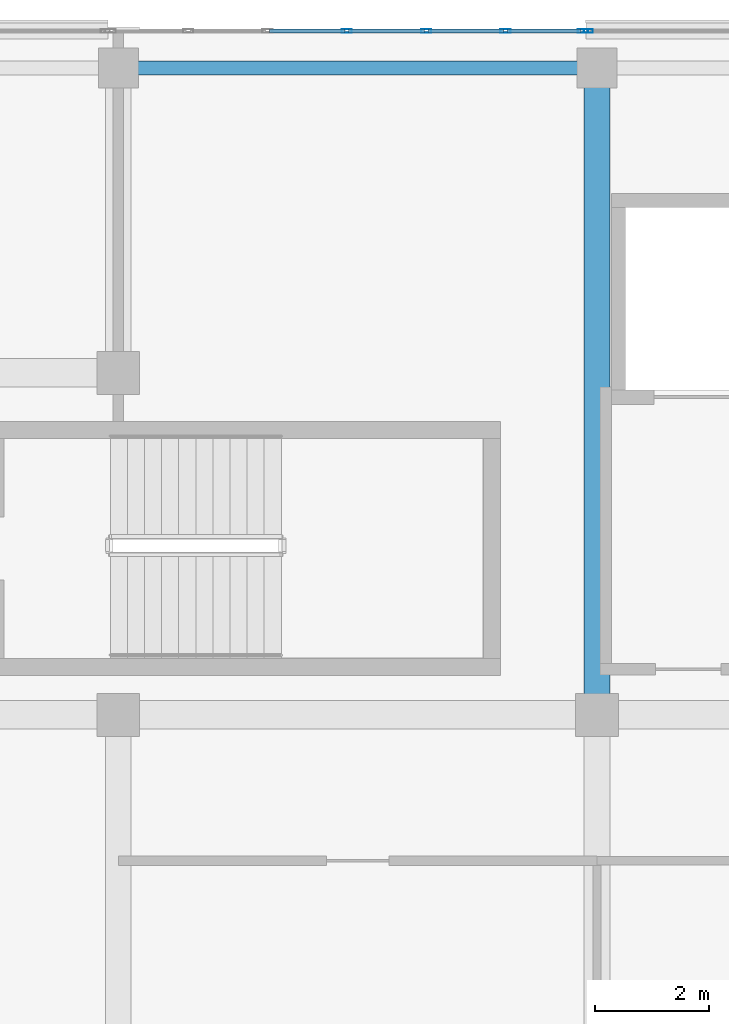
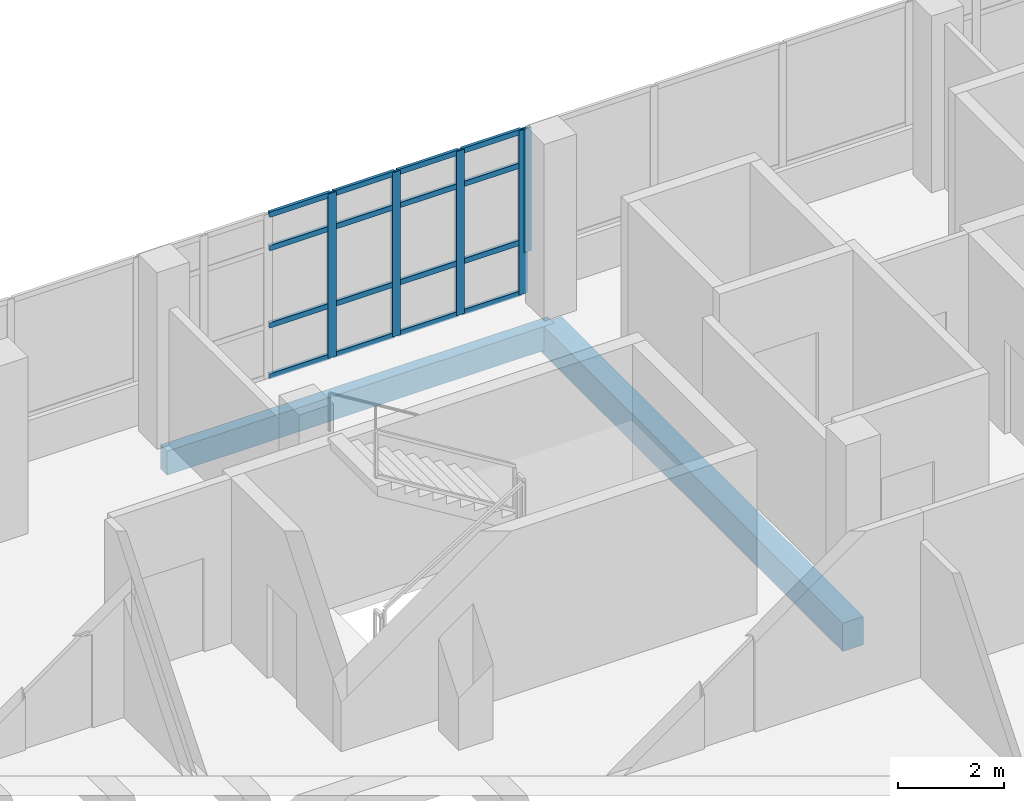
# One storey, part 47 of 101: 21 members, 2 beams, 2 elements without a shape of their own.
"""IFC4 building model written with IfcOpenShell, lengths in metres."""

from ifc_helpers import new_model, si_unit, direction, frame, origin, origin_2d, place, context, subcontext, project, spatial, rectangle, hollow_rectangle, extrude, material, material_profile, profile_set, type_object, element, aggregate, save


model = new_model("IFC4")

# Units and contexts
model_context = context("Model", 3, precision=1e-05, world=origin(), true_north=direction((0.0, 1.0)))
body_context = subcontext(model_context, "Body", "Model", "MODEL_VIEW")
ifc_project = project(units=[si_unit("LENGTHUNIT", "METRE"), si_unit("AREAUNIT", "SQUARE_METRE"), si_unit("VOLUMEUNIT", "CUBIC_METRE"), si_unit("PLANEANGLEUNIT", "RADIAN"), si_unit("MASSUNIT", "GRAM", prefix="KILO")], contexts=[model_context])

# Site, building, storey
site_placement = place(None, origin())
site = spatial("IfcSite", under=ifc_project, at=site_placement, CompositionType="ELEMENT")
building_placement = place(site_placement, origin())
building = spatial("IfcBuilding", under=site, at=building_placement, Name="Selatvlak General Hospital", CompositionType="ELEMENT")
storey_placement = place(building_placement, frame((0.0, 0.0, 19.199951171875)))
storey = spatial("IfcBuildingStorey", under=building, at=storey_placement, Name="L04", CompositionType="ELEMENT", Elevation=19.199951171875)

# Beams
ifc_material_1 = material(Name="Concrete C40/50", Category="concrete")
ifc_material_profile_1 = material_profile(ifc_material_1, rectangle(XDim=0.449951171875, YDim=0.64990234375, at=origin_2d()), Name="RC-BM 450x650")
ifc_profile_set_1 = profile_set([ifc_material_profile_1], Name="Concrete C40/50")
beam_type_1 = type_object("IfcBeamType", Name="BM-G04", PredefinedType="BEAM", material=ifc_profile_set_1)
beam_1_placement = place(storey_placement, frame((98.39990234375, 108.0, -0.6298828125), z_axis=(0.0, 1.0, 0.0), x_axis=(-1.0, 0.0, 0.0)))
element("IfcBeam", 1, at=beam_1_placement, inside=storey, type_object=beam_type_1, Name="Beam BMR-L04-1695", PredefinedType="BEAM", context=body_context, shape_type="SweptSolid", body=[
    extrude(rectangle(XDim=0.449951171875, YDim=0.64990234375, at=origin_2d()), origin(), (0.0, 0.0, 1.0), 11.35009765625),
])
ifc_material_profile_2 = material_profile(ifc_material_1, rectangle(XDim=0.25, YDim=0.550048828125, at=origin_2d()), Name="RC-SP 250x550")
ifc_profile_set_2 = profile_set([ifc_material_profile_2], Name="Concrete C40/50")
beam_type_2 = type_object("IfcBeamType", Name="BM-SP2", PredefinedType="SPANDREL", material=ifc_profile_set_2)
beam_2_placement = place(storey_placement, frame((90.0, 119.35009765625, -0.579833984375), z_axis=(1.0, 0.0, 0.0), x_axis=(0.0, 1.0, 0.0)))
element("IfcBeam", 2, at=beam_2_placement, inside=storey, type_object=beam_type_2, Name="Beam BMR-L04-1634", PredefinedType="SPANDREL", context=body_context, shape_type="SweptSolid", body=[
    extrude(rectangle(XDim=0.25, YDim=0.550048828125, at=origin_2d()), origin(), (0.0, 0.0, 1.0), 8.39990234375),
])

# Curtain wall, member
ifc_material_2 = material(Name="Solar-control Low-E double glazing", Category="glass")
curtain_wall_type_1 = type_object("IfcCurtainWallType", Name="CW-CW-02", PredefinedType="USERDEFINED", material=ifc_material_2)
curtain_wall_1_placement = place(storey_placement, origin())
curtain_wall_1 = element("IfcCurtainWall", 3, at=curtain_wall_1_placement, inside=storey, type_object=curtain_wall_type_1, Name="Glazed facade curtain wall CW-L04-0490", ObjectType="UNITISED CURTAIN WALL", PredefinedType="USERDEFINED")
ifc_material_3 = material(Name="Dark anodised aluminium mullion", Category="aluminium")
ifc_material_profile_3 = material_profile(ifc_material_3, hollow_rectangle(XDim=0.06494140625, YDim=0.159912109375, WallThickness=0.00390625, at=origin_2d()), Name="AL-MUL 65x160x4")
ifc_profile_set_3 = profile_set([ifc_material_profile_3], Name="Dark anodised aluminium mullion")
member_type_1 = type_object("IfcMemberType", Name="CWM-01", PredefinedType="MULLION", material=ifc_profile_set_3)
member_1_placement = place(storey_placement, frame((98.24755859375, 119.9990234375, 0.93994140625), z_axis=(0.0, 0.0, 1.0), x_axis=(-0.000119774825, 0.999999992827, 0.0)))
member_1 = element("IfcMember", 4, at=member_1_placement, type_object=member_type_1, Name="CW-02 mullion 1", PredefinedType="MULLION", context=body_context, shape_type="SweptSolid", body=[
    extrude(hollow_rectangle(XDim=0.06494140625, YDim=0.159912109375, WallThickness=0.00390625, at=origin_2d()), origin(), (0.0, 0.0, 1.0), 2.830078125),
])
aggregate(curtain_wall_1, [member_1])

# Curtain wall, members
curtain_wall_type_2 = type_object("IfcCurtainWallType", Name="CW-CW-04", PredefinedType="USERDEFINED", material=ifc_material_2)
curtain_wall_2_placement = place(storey_placement, origin())
curtain_wall_2 = element("IfcCurtainWall", 5, at=curtain_wall_2_placement, inside=storey, type_object=curtain_wall_type_2, Name="Glazed facade curtain wall CW-L04-0489", ObjectType="STICK GLAZING WALL", PredefinedType="USERDEFINED")
ifc_material_profile_4 = material_profile(ifc_material_3, hollow_rectangle(XDim=0.06494140625, YDim=0.179931640625, WallThickness=0.00439453125, at=origin_2d()), Name="AL-MUL 65x180x4.5")
ifc_profile_set_4 = profile_set([ifc_material_profile_4], Name="Dark anodised aluminium mullion")
member_type_2 = type_object("IfcMemberType", Name="CWM-02", PredefinedType="MULLION", material=ifc_profile_set_4)
member_2_placement = place(storey_placement, frame((94.010009765625, 119.9990234375, 0.0), z_axis=(0.0, 0.0, 1.0), x_axis=(0.0, 1.0, 0.0)))
member_2 = element("IfcMember", 6, at=member_2_placement, type_object=member_type_2, Name="CW-04 mullion 4", PredefinedType="MULLION", context=body_context, shape_type="SweptSolid", body=[
    extrude(hollow_rectangle(XDim=0.06494140625, YDim=0.179931640625, WallThickness=0.00439453125, at=origin_2d()), origin(), (0.0, 0.0, 1.0), 3.77001953125),
])
member_3_placement = place(storey_placement, frame((95.401611328125, 119.9990234375, 0.0), z_axis=(0.0, 0.0, 1.0), x_axis=(0.0, 1.0, 0.0)))
member_3 = element("IfcMember", 7, at=member_3_placement, type_object=member_type_2, Name="CW-04 mullion 5", PredefinedType="MULLION", context=body_context, shape_type="SweptSolid", body=[
    extrude(hollow_rectangle(XDim=0.06494140625, YDim=0.179931640625, WallThickness=0.00439453125, at=origin_2d()), origin(), (0.0, 0.0, 1.0), 3.77001953125),
])
member_4_placement = place(storey_placement, frame((96.793212890625, 119.9990234375, 0.0), z_axis=(0.0, 0.0, 1.0), x_axis=(0.0, 1.0, 0.0)))
member_4 = element("IfcMember", 8, at=member_4_placement, type_object=member_type_2, Name="CW-04 mullion 6", PredefinedType="MULLION", context=body_context, shape_type="SweptSolid", body=[
    extrude(hollow_rectangle(XDim=0.06494140625, YDim=0.179931640625, WallThickness=0.00439453125, at=origin_2d()), origin(), (0.0, 0.0, 1.0), 3.77001953125),
])
member_5_placement = place(storey_placement, frame((98.152587890625, 119.9990234375, 0.0), z_axis=(0.0, 0.0, 1.0), x_axis=(0.0, 1.0, 0.0)))
member_5 = element("IfcMember", 9, at=member_5_placement, type_object=member_type_2, Name="CW-04 mullion 7", PredefinedType="MULLION", context=body_context, shape_type="SweptSolid", body=[
    extrude(hollow_rectangle(XDim=0.06494140625, YDim=0.179931640625, WallThickness=0.00439453125, at=origin_2d()), origin(), (0.0, 0.0, 1.0), 3.77001953125),
])
ifc_material_profile_5 = material_profile(ifc_material_3, hollow_rectangle(XDim=0.06494140625, YDim=0.1201171875, WallThickness=0.00390625, at=origin_2d()), Name="AL-TRN 65x120x4")
ifc_profile_set_5 = profile_set([ifc_material_profile_5], Name="Dark anodised aluminium mullion")
member_type_3 = type_object("IfcMemberType", Name="CWT-01", PredefinedType="USERDEFINED", material=ifc_profile_set_5)
member_6_placement = place(storey_placement, frame((92.65087890625, 119.9990234375, 0.032470703125), z_axis=(1.0, 0.0, 0.0), x_axis=(0.0, 1.0, 0.0)))
member_6 = element("IfcMember", 10, at=member_6_placement, type_object=member_type_3, Name="CW-04 transom 3.1", ObjectType="TRANSOM", PredefinedType="USERDEFINED", context=body_context, shape_type="SweptSolid", body=[
    extrude(hollow_rectangle(XDim=0.06494140625, YDim=0.1201171875, WallThickness=0.00390625, at=origin_2d()), origin(), (0.0, 0.0, 1.0), 1.32666015625),
])
member_7_placement = place(storey_placement, frame((92.65087890625, 119.9990234375, 1.199951171875), z_axis=(1.0, 0.0, 0.0), x_axis=(0.0, 1.0, 0.0)))
member_7 = element("IfcMember", 11, at=member_7_placement, type_object=member_type_3, Name="CW-04 transom 3.2", ObjectType="TRANSOM", PredefinedType="USERDEFINED", context=body_context, shape_type="SweptSolid", body=[
    extrude(hollow_rectangle(XDim=0.06494140625, YDim=0.1201171875, WallThickness=0.00390625, at=origin_2d()), origin(), (0.0, 0.0, 1.0), 1.32666015625),
])
member_8_placement = place(storey_placement, frame((92.65087890625, 119.9990234375, 2.969970703125), z_axis=(1.0, 0.0, 0.0), x_axis=(0.0, 1.0, 0.0)))
member_8 = element("IfcMember", 12, at=member_8_placement, type_object=member_type_3, Name="CW-04 transom 3.3", ObjectType="TRANSOM", PredefinedType="USERDEFINED", context=body_context, shape_type="SweptSolid", body=[
    extrude(hollow_rectangle(XDim=0.06494140625, YDim=0.1201171875, WallThickness=0.00390625, at=origin_2d()), origin(), (0.0, 0.0, 1.0), 1.32666015625),
])
member_9_placement = place(storey_placement, frame((92.65087890625, 119.9990234375, 3.737548828125), z_axis=(1.0, 0.0, 0.0), x_axis=(0.0, 1.0, 0.0)))
member_9 = element("IfcMember", 13, at=member_9_placement, type_object=member_type_3, Name="CW-04 transom 3.4", ObjectType="TRANSOM", PredefinedType="USERDEFINED", context=body_context, shape_type="SweptSolid", body=[
    extrude(hollow_rectangle(XDim=0.06494140625, YDim=0.1201171875, WallThickness=0.00390625, at=origin_2d()), origin(), (0.0, 0.0, 1.0), 1.32666015625),
])
member_10_placement = place(storey_placement, frame((94.04248046875, 119.9990234375, 0.032470703125), z_axis=(1.0, 0.0, 0.0), x_axis=(0.0, 1.0, 0.0)))
member_10 = element("IfcMember", 14, at=member_10_placement, type_object=member_type_3, Name="CW-04 transom 4.1", ObjectType="TRANSOM", PredefinedType="USERDEFINED", context=body_context, shape_type="SweptSolid", body=[
    extrude(hollow_rectangle(XDim=0.06494140625, YDim=0.1201171875, WallThickness=0.00390625, at=origin_2d()), origin(), (0.0, 0.0, 1.0), 1.32666015625),
])
member_11_placement = place(storey_placement, frame((94.04248046875, 119.9990234375, 1.199951171875), z_axis=(1.0, 0.0, 0.0), x_axis=(0.0, 1.0, 0.0)))
member_11 = element("IfcMember", 15, at=member_11_placement, type_object=member_type_3, Name="CW-04 transom 4.2", ObjectType="TRANSOM", PredefinedType="USERDEFINED", context=body_context, shape_type="SweptSolid", body=[
    extrude(hollow_rectangle(XDim=0.06494140625, YDim=0.1201171875, WallThickness=0.00390625, at=origin_2d()), origin(), (0.0, 0.0, 1.0), 1.32666015625),
])
member_12_placement = place(storey_placement, frame((94.04248046875, 119.9990234375, 2.969970703125), z_axis=(1.0, 0.0, 0.0), x_axis=(0.0, 1.0, 0.0)))
member_12 = element("IfcMember", 16, at=member_12_placement, type_object=member_type_3, Name="CW-04 transom 4.3", ObjectType="TRANSOM", PredefinedType="USERDEFINED", context=body_context, shape_type="SweptSolid", body=[
    extrude(hollow_rectangle(XDim=0.06494140625, YDim=0.1201171875, WallThickness=0.00390625, at=origin_2d()), origin(), (0.0, 0.0, 1.0), 1.32666015625),
])
member_13_placement = place(storey_placement, frame((94.04248046875, 119.9990234375, 3.737548828125), z_axis=(1.0, 0.0, 0.0), x_axis=(0.0, 1.0, 0.0)))
member_13 = element("IfcMember", 17, at=member_13_placement, type_object=member_type_3, Name="CW-04 transom 4.4", ObjectType="TRANSOM", PredefinedType="USERDEFINED", context=body_context, shape_type="SweptSolid", body=[
    extrude(hollow_rectangle(XDim=0.06494140625, YDim=0.1201171875, WallThickness=0.00390625, at=origin_2d()), origin(), (0.0, 0.0, 1.0), 1.32666015625),
])
member_14_placement = place(storey_placement, frame((95.43408203125, 119.9990234375, 0.032470703125), z_axis=(1.0, 0.0, 0.0), x_axis=(0.0, 1.0, 0.0)))
member_14 = element("IfcMember", 18, at=member_14_placement, type_object=member_type_3, Name="CW-04 transom 5.1", ObjectType="TRANSOM", PredefinedType="USERDEFINED", context=body_context, shape_type="SweptSolid", body=[
    extrude(hollow_rectangle(XDim=0.06494140625, YDim=0.1201171875, WallThickness=0.00390625, at=origin_2d()), origin(), (0.0, 0.0, 1.0), 1.32666015625),
])
member_15_placement = place(storey_placement, frame((95.43408203125, 119.9990234375, 1.199951171875), z_axis=(1.0, 0.0, 0.0), x_axis=(0.0, 1.0, 0.0)))
member_15 = element("IfcMember", 19, at=member_15_placement, type_object=member_type_3, Name="CW-04 transom 5.2", ObjectType="TRANSOM", PredefinedType="USERDEFINED", context=body_context, shape_type="SweptSolid", body=[
    extrude(hollow_rectangle(XDim=0.06494140625, YDim=0.1201171875, WallThickness=0.00390625, at=origin_2d()), origin(), (0.0, 0.0, 1.0), 1.32666015625),
])
member_16_placement = place(storey_placement, frame((95.43408203125, 119.9990234375, 2.969970703125), z_axis=(1.0, 0.0, 0.0), x_axis=(0.0, 1.0, 0.0)))
member_16 = element("IfcMember", 20, at=member_16_placement, type_object=member_type_3, Name="CW-04 transom 5.3", ObjectType="TRANSOM", PredefinedType="USERDEFINED", context=body_context, shape_type="SweptSolid", body=[
    extrude(hollow_rectangle(XDim=0.06494140625, YDim=0.1201171875, WallThickness=0.00390625, at=origin_2d()), origin(), (0.0, 0.0, 1.0), 1.32666015625),
])
member_17_placement = place(storey_placement, frame((95.43408203125, 119.9990234375, 3.737548828125), z_axis=(1.0, 0.0, 0.0), x_axis=(0.0, 1.0, 0.0)))
member_17 = element("IfcMember", 21, at=member_17_placement, type_object=member_type_3, Name="CW-04 transom 5.4", ObjectType="TRANSOM", PredefinedType="USERDEFINED", context=body_context, shape_type="SweptSolid", body=[
    extrude(hollow_rectangle(XDim=0.06494140625, YDim=0.1201171875, WallThickness=0.00390625, at=origin_2d()), origin(), (0.0, 0.0, 1.0), 1.32666015625),
])
member_18_placement = place(storey_placement, frame((96.825927734375, 119.9990234375, 0.032470703125), z_axis=(1.0, 0.0, 0.0), x_axis=(0.0, 1.0, 0.0)))
member_18 = element("IfcMember", 22, at=member_18_placement, type_object=member_type_3, Name="CW-04 transom 6.1", ObjectType="TRANSOM", PredefinedType="USERDEFINED", context=body_context, shape_type="SweptSolid", body=[
    extrude(hollow_rectangle(XDim=0.06494140625, YDim=0.1201171875, WallThickness=0.00390625, at=origin_2d()), origin(), (0.0, 0.0, 1.0), 1.294189453125),
])
member_19_placement = place(storey_placement, frame((96.825927734375, 119.9990234375, 1.199951171875), z_axis=(1.0, 0.0, 0.0), x_axis=(0.0, 1.0, 0.0)))
member_19 = element("IfcMember", 23, at=member_19_placement, type_object=member_type_3, Name="CW-04 transom 6.2", ObjectType="TRANSOM", PredefinedType="USERDEFINED", context=body_context, shape_type="SweptSolid", body=[
    extrude(hollow_rectangle(XDim=0.06494140625, YDim=0.1201171875, WallThickness=0.00390625, at=origin_2d()), origin(), (0.0, 0.0, 1.0), 1.294189453125),
])
member_20_placement = place(storey_placement, frame((96.825927734375, 119.9990234375, 2.969970703125), z_axis=(1.0, 0.0, 0.0), x_axis=(0.0, 1.0, 0.0)))
member_20 = element("IfcMember", 24, at=member_20_placement, type_object=member_type_3, Name="CW-04 transom 6.3", ObjectType="TRANSOM", PredefinedType="USERDEFINED", context=body_context, shape_type="SweptSolid", body=[
    extrude(hollow_rectangle(XDim=0.06494140625, YDim=0.1201171875, WallThickness=0.00390625, at=origin_2d()), origin(), (0.0, 0.0, 1.0), 1.294189453125),
])
member_21_placement = place(storey_placement, frame((96.825927734375, 119.9990234375, 3.737548828125), z_axis=(1.0, 0.0, 0.0), x_axis=(0.0, 1.0, 0.0)))
member_21 = element("IfcMember", 25, at=member_21_placement, type_object=member_type_3, Name="CW-04 transom 6.4", ObjectType="TRANSOM", PredefinedType="USERDEFINED", context=body_context, shape_type="SweptSolid", body=[
    extrude(hollow_rectangle(XDim=0.06494140625, YDim=0.1201171875, WallThickness=0.00390625, at=origin_2d()), origin(), (0.0, 0.0, 1.0), 1.294189453125),
])
aggregate(curtain_wall_2, [member_2, member_3, member_4, member_5, member_6, member_7, member_8, member_9, member_10, member_11, member_12, member_13, member_14, member_15, member_16, member_17, member_18, member_19, member_20, member_21])

save(model, "model.ifc")
